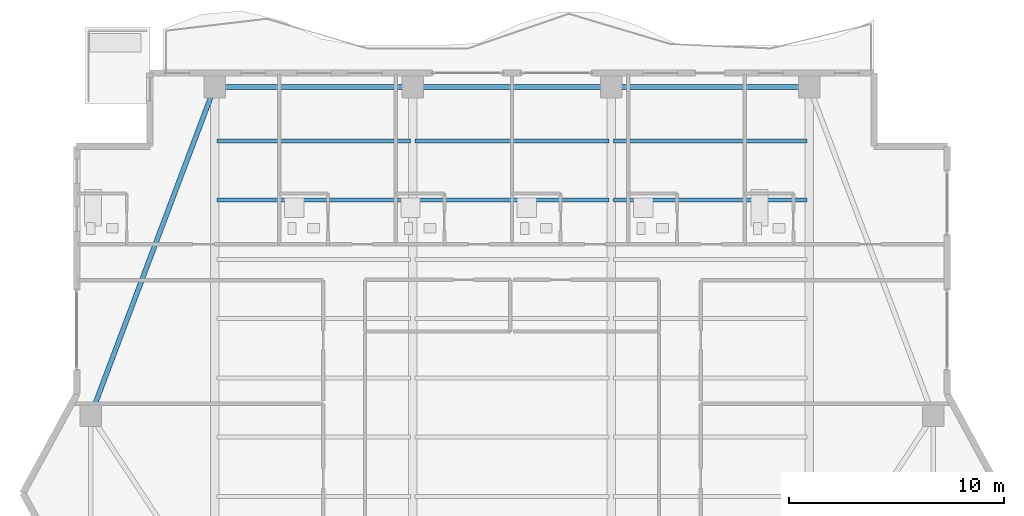
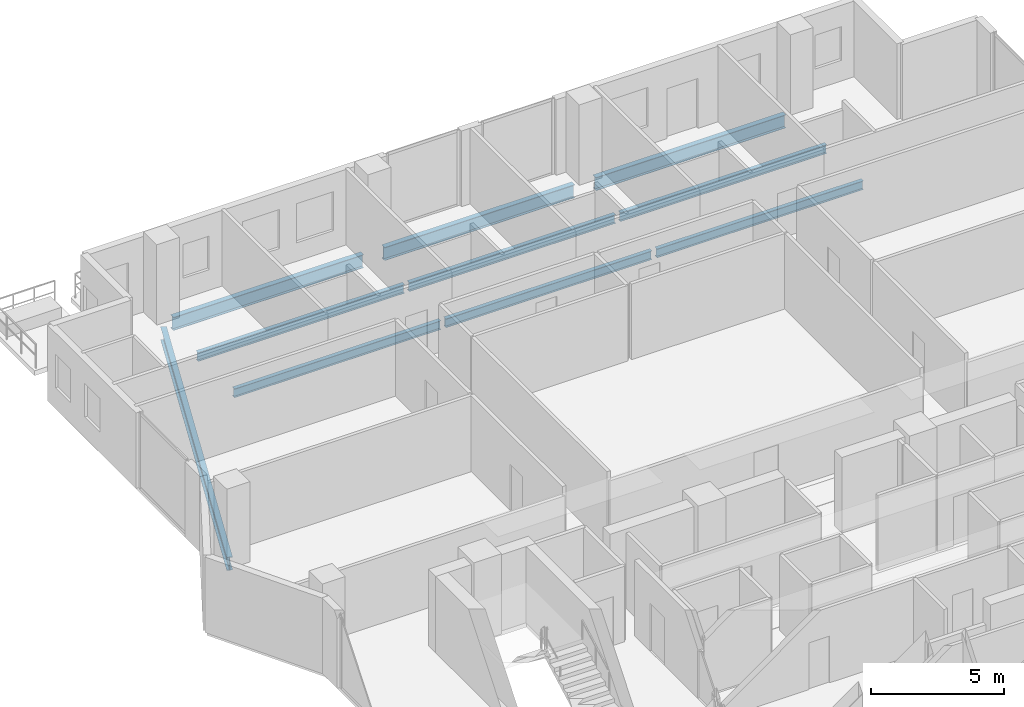
# One storey, part 13 of 23: 10 beams.
"""IFC4 building model written with IfcOpenShell, lengths in metres."""

from ifc_helpers import new_model, si_unit, direction, frame, origin, origin_2d, place, context, subcontext, project, spatial, i_section, extrude, material, material_profile, profile_set, type_object, element, save


model = new_model("IFC4")

# Units and contexts
model_context = context("Model", 3, precision=1e-05, world=origin(), true_north=direction((0.0, 1.0)))
body_context = subcontext(model_context, "Body", "Model", "MODEL_VIEW")
ifc_project = project(units=[si_unit("LENGTHUNIT", "METRE"), si_unit("AREAUNIT", "SQUARE_METRE"), si_unit("VOLUMEUNIT", "CUBIC_METRE"), si_unit("PLANEANGLEUNIT", "RADIAN"), si_unit("MASSUNIT", "GRAM", prefix="KILO")], contexts=[model_context])

# Site, building, storey
site_placement = place(None, origin())
site = spatial("IfcSite", under=ifc_project, at=site_placement, CompositionType="ELEMENT")
building_placement = place(site_placement, origin())
building = spatial("IfcBuilding", under=site, at=building_placement, Name="Zuhayl Quay Hotel", CompositionType="ELEMENT")
storey_placement = place(building_placement, frame((0.0, 0.0, 272.949951171875)))
storey = spatial("IfcBuildingStorey", under=building, at=storey_placement, Name="L69", CompositionType="ELEMENT", Elevation=272.949951171875)

# Beams
ifc_material = material(Name="Steel ASTM A992 Grade 50", Category="steel")
ifc_material_profile_1 = material_profile(ifc_material, i_section(OverallWidth=0.22802734375, OverallDepth=0.60693359375, WebThickness=0.01123046875, FlangeThickness=0.017333984375, at=origin_2d()), Name="W24X76")
ifc_profile_set_1 = profile_set([ifc_material_profile_1], Name="Steel ASTM A992 Grade 50")
beam_type_1 = type_object("IfcBeamType", Name="BM_B3_W24X76", PredefinedType="BEAM", material=ifc_profile_set_1)
beam_1_placement = place(storey_placement, frame((13.340087890625, 38.35009765625, -0.5234375), z_axis=(-1.0, 0.0, 0.0), x_axis=(0.0, -1.0, 0.0)))
element("IfcBeam", 1, at=beam_1_placement, inside=storey, type_object=beam_type_1, Name="L69 Floor Beam RG_L69_07", PredefinedType="BEAM", context=body_context, shape_type="SweptSolid", body=[
    extrude(i_section(OverallWidth=0.22802734375, OverallDepth=0.60693359375, WebThickness=0.01123046875, FlangeThickness=0.017333984375, at=origin_2d()), origin(), (0.0, 0.0, 1.0), 8.280029296875),
])
beam_2_placement = place(storey_placement, frame((4.139892578125, 38.35009765625, -0.5234375), z_axis=(-1.0, 0.0, 0.0), x_axis=(0.0, -1.0, 0.0)))
element("IfcBeam", 2, at=beam_2_placement, inside=storey, type_object=beam_type_1, Name="L69 Floor Beam RG_L69_08", PredefinedType="BEAM", context=body_context, shape_type="SweptSolid", body=[
    extrude(i_section(OverallWidth=0.22802734375, OverallDepth=0.60693359375, WebThickness=0.01123046875, FlangeThickness=0.017333984375, at=origin_2d()), origin(), (0.0, 0.0, 1.0), 8.27978515625),
])
beam_3_placement = place(storey_placement, frame((-5.06005859375, 38.35009765625, -0.5234375), z_axis=(-1.0, 0.0, 0.0), x_axis=(0.0, -1.0, 0.0)))
element("IfcBeam", 3, at=beam_3_placement, inside=storey, type_object=beam_type_1, Name="L69 Floor Beam RG_L69_09", PredefinedType="BEAM", context=body_context, shape_type="SweptSolid", body=[
    extrude(i_section(OverallWidth=0.22802734375, OverallDepth=0.60693359375, WebThickness=0.01123046875, FlangeThickness=0.017333984375, at=origin_2d()), origin(), (0.0, 0.0, 1.0), 8.280029296875),
])
beam_4_placement = place(storey_placement, frame((-13.96240234375, 37.919677734375, -0.5234375), z_axis=(-0.352796603103, -0.935700035716, 0.0), x_axis=(0.935700035716, -0.352796603103, 0.0)))
element("IfcBeam", 4, at=beam_4_placement, inside=storey, type_object=beam_type_1, Name="L69 Floor Beam RG_L69_10", PredefinedType="BEAM", context=body_context, shape_type="SweptSolid", body=[
    extrude(i_section(OverallWidth=0.22802734375, OverallDepth=0.60693359375, WebThickness=0.01123046875, FlangeThickness=0.017333984375, at=origin_2d()), origin(), (0.0, 0.0, 1.0), 15.3779296875),
])
ifc_material_profile_2 = material_profile(ifc_material, i_section(OverallWidth=0.177978515625, OverallDepth=0.404052734375, WebThickness=0.007568359375, FlangeThickness=0.010986328125, at=origin_2d()), Name="W16X36")
ifc_profile_set_2 = profile_set([ifc_material_profile_2], Name="Steel ASTM A992 Grade 50")
beam_type_2 = type_object("IfcBeamType", Name="BM_J3_W16X36", PredefinedType="JOIST", material=ifc_profile_set_2)
beam_5_placement = place(storey_placement, frame((-13.694091796875, 33.10009765625, -0.421875), z_axis=(1.0, 0.0, 0.0), x_axis=(0.0, 1.0, 0.0)))
element("IfcBeam", 5, at=beam_5_placement, inside=storey, type_object=beam_type_2, Name="L69 Floor Beam FJ_L69_7_1", PredefinedType="JOIST", context=body_context, shape_type="SweptSolid", body=[
    extrude(i_section(OverallWidth=0.177978515625, OverallDepth=0.404052734375, WebThickness=0.007568359375, FlangeThickness=0.010986328125, at=origin_2d()), origin(), (0.0, 0.0, 1.0), 8.988037109375),
])
beam_6_placement = place(storey_placement, frame((-4.493896484375, 33.10009765625, -0.421875), z_axis=(1.0, 0.0, 0.0), x_axis=(0.0, 1.0, 0.0)))
element("IfcBeam", 6, at=beam_6_placement, inside=storey, type_object=beam_type_2, Name="L69 Floor Beam FJ_L69_7_2", PredefinedType="JOIST", context=body_context, shape_type="SweptSolid", body=[
    extrude(i_section(OverallWidth=0.177978515625, OverallDepth=0.404052734375, WebThickness=0.007568359375, FlangeThickness=0.010986328125, at=origin_2d()), origin(), (0.0, 0.0, 1.0), 8.98779296875),
])
for number, where, z_axis, x_axis, name in (
    (7, (4.7060546875, 33.10009765625, -0.421875), (1.0, 0.0, 0.0), (0.0, 1.0, 0.0), "L69 Floor Beam FJ_L69_7_3"),
    (8, (-13.694091796875, 35.85009765625, -0.421875), (1.0, 0.0, 0.0), (0.0, 1.0, 0.0), "L69 Floor Beam FJ_L69_8_1"),
):
    element("IfcBeam", number, at=place(storey_placement, frame(where, z_axis=z_axis, x_axis=x_axis)), inside=storey, type_object=beam_type_2, Name=name, PredefinedType="JOIST", context=body_context, shape_type="SweptSolid", body=[
        extrude(i_section(OverallWidth=0.177978515625, OverallDepth=0.404052734375, WebThickness=0.007568359375, FlangeThickness=0.010986328125, at=origin_2d()), origin(), (0.0, 0.0, 1.0), 8.988037109375),
    ])
beam_7_placement = place(storey_placement, frame((-4.493896484375, 35.85009765625, -0.421875), z_axis=(1.0, 0.0, 0.0), x_axis=(0.0, 1.0, 0.0)))
element("IfcBeam", 9, at=beam_7_placement, inside=storey, type_object=beam_type_2, Name="L69 Floor Beam FJ_L69_8_2", PredefinedType="JOIST", context=body_context, shape_type="SweptSolid", body=[
    extrude(i_section(OverallWidth=0.177978515625, OverallDepth=0.404052734375, WebThickness=0.007568359375, FlangeThickness=0.010986328125, at=origin_2d()), origin(), (0.0, 0.0, 1.0), 8.98779296875),
])
beam_8_placement = place(storey_placement, frame((4.7060546875, 35.85009765625, -0.421875), z_axis=(1.0, 0.0, 0.0), x_axis=(0.0, 1.0, 0.0)))
element("IfcBeam", 10, at=beam_8_placement, inside=storey, type_object=beam_type_2, Name="L69 Floor Beam FJ_L69_8_3", PredefinedType="JOIST", context=body_context, shape_type="SweptSolid", body=[
    extrude(i_section(OverallWidth=0.177978515625, OverallDepth=0.404052734375, WebThickness=0.007568359375, FlangeThickness=0.010986328125, at=origin_2d()), origin(), (0.0, 0.0, 1.0), 8.988037109375),
])

save(model, "model.ifc")
